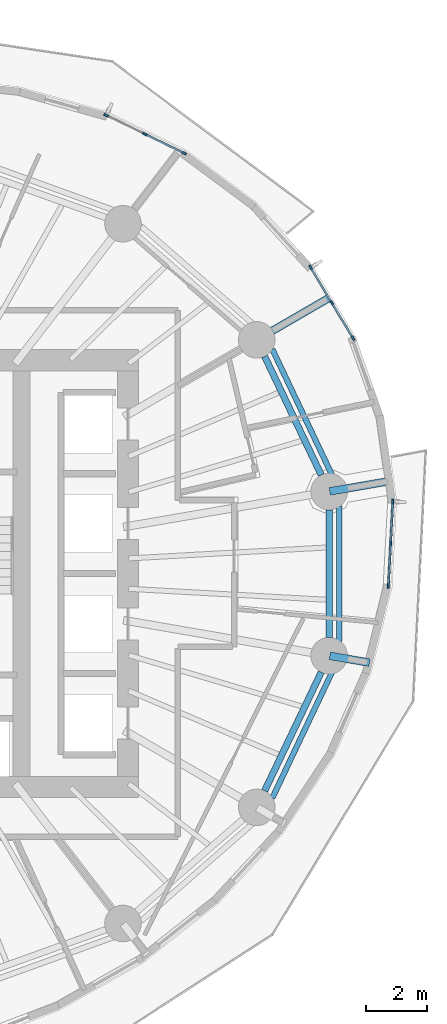
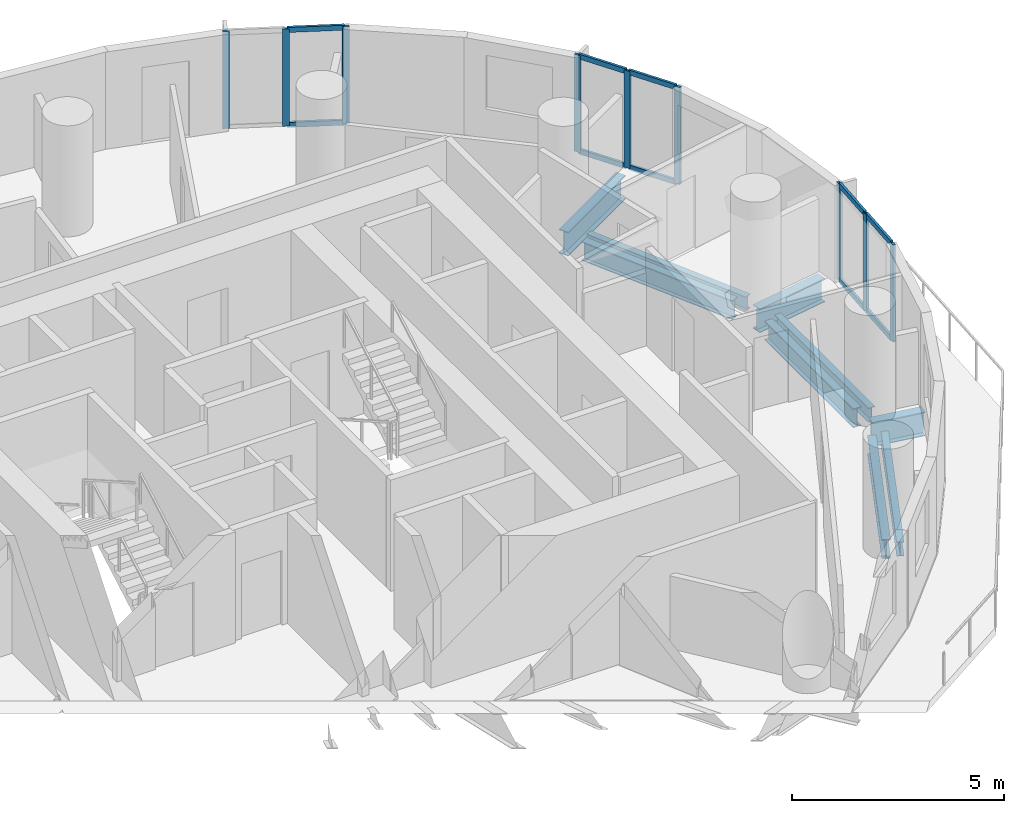
# One storey, part 5 of 15: 19 members, 9 beams, 3 elements without a shape of their own.
"""IFC4 building model written with IfcOpenShell, lengths in metres."""

from ifc_helpers import new_model, si_unit, direction, frame, origin, origin_2d, place, context, subcontext, project, spatial, rectangle, i_section, extrude, material, material_profile, profile_set, type_object, element, aggregate, save


model = new_model("IFC4")

# Units and contexts
model_context = context("Model", 3, precision=1e-05, world=origin(), true_north=direction((0.0, 1.0)))
body_context = subcontext(model_context, "Body", "Model", "MODEL_VIEW")
ifc_project = project(units=[si_unit("LENGTHUNIT", "METRE"), si_unit("AREAUNIT", "SQUARE_METRE"), si_unit("VOLUMEUNIT", "CUBIC_METRE"), si_unit("PLANEANGLEUNIT", "RADIAN"), si_unit("MASSUNIT", "GRAM", prefix="KILO")], contexts=[model_context])

# Site, building, storey
site_placement = place(None, origin())
site = spatial("IfcSite", under=ifc_project, at=site_placement, CompositionType="ELEMENT")
building_placement = place(site_placement, origin())
building = spatial("IfcBuilding", under=site, at=building_placement, Name="Veldorim Arch Residences", CompositionType="ELEMENT")
storey_placement = place(building_placement, frame((0.0, 0.0, 109.280029296875)))
storey = spatial("IfcBuildingStorey", under=building, at=storey_placement, Name="L32", CompositionType="ELEMENT", Elevation=109.280029296875)

# Beams
ifc_material_1 = material(Name="Steel S355", Category="steel")
ifc_material_profile_1 = material_profile(ifc_material_1, i_section(OverallWidth=0.2119140625, OverallDepth=0.54443359375, WebThickness=0.0126953125, FlangeThickness=0.021240234375, at=origin_2d()), Name="UB533x210x122")
ifc_profile_set_1 = profile_set([ifc_material_profile_1], Name="Steel S355")
beam_type_1 = type_object("IfcBeamType", Name="Structural Steel Beam UB533x210x122", PredefinedType="BEAM", material=ifc_profile_set_1)
for number, where, z_axis, x_axis, name in (
    (1, (47.336181640625, 27.233642578125, -0.51220703125), (-0.430720154476, 0.902485539235, 0.0), (-0.902485539235, -0.430720154476, 0.0), "L32 perimeter ring tie beam 01"),
    (2, (45.478759765625, 16.87451171875, -0.51220703125), (0.430720154476, 0.902485539235, 0.0), (-0.902485539235, 0.430720154476, 0.0), "L32 perimeter ring tie beam 15"),
):
    element("IfcBeam", number, at=place(storey_placement, frame(where, z_axis=z_axis, x_axis=x_axis)), inside=storey, type_object=beam_type_1, Name=name, PredefinedType="BEAM", context=body_context, shape_type="SweptSolid", body=[
        extrude(i_section(OverallWidth=0.2119140625, OverallDepth=0.54443359375, WebThickness=0.0126953125, FlangeThickness=0.021240234375, at=origin_2d()), origin(), (0.0, 0.0, 1.0), 4.312255859375),
    ])
beam_1_placement = place(storey_placement, frame((47.594482421875, 21.90771484375, -0.51220703125), z_axis=(0.0, 1.0, 0.0), x_axis=(-1.0, 0.0, 0.0)))
element("IfcBeam", 3, at=beam_1_placement, inside=storey, type_object=beam_type_1, Name="L32 perimeter ring tie beam 16", PredefinedType="BEAM", context=body_context, shape_type="SweptSolid", body=[
    extrude(i_section(OverallWidth=0.2119140625, OverallDepth=0.54443359375, WebThickness=0.0126953125, FlangeThickness=0.021240234375, at=origin_2d()), origin(), (0.0, 0.0, 1.0), 4.1845703125),
])
ifc_material_2 = material(Name="Steel S355", Category="steel")
ifc_material_profile_2 = material_profile(ifc_material_2, i_section(OverallWidth=0.25439453125, OverallDepth=0.6875, WebThickness=0.01318359375, FlangeThickness=0.02099609375, at=origin_2d()), Name="UB686x254x152")
ifc_profile_set_2 = profile_set([ifc_material_profile_2], Name="Steel S355")
beam_type_2 = type_object("IfcBeamType", Name="Structural Steel GIRDER UB686x254x152", PredefinedType="USERDEFINED", material=ifc_profile_set_2)
beam_2_placement = place(storey_placement, frame((47.6142578125, 26.695556640625, -0.583740234375), z_axis=(0.985416355925, 0.170160528549, 0.0), x_axis=(-0.170160528549, 0.985416355925, 0.0)))
element("IfcBeam", 4, at=beam_2_placement, inside=storey, type_object=beam_type_2, Name="L32 radial edge cantilever girder 01", ObjectType="GIRDER", PredefinedType="USERDEFINED", context=body_context, shape_type="SweptSolid", body=[
    extrude(i_section(OverallWidth=0.25439453125, OverallDepth=0.6875, WebThickness=0.01318359375, FlangeThickness=0.02099609375, at=origin_2d()), origin(), (0.0, 0.0, 1.0), 1.99853515625),
])
beam_3_placement = place(storey_placement, frame((45.23779296875, 31.677001953125, -0.583740234375), z_axis=(0.865067975698, 0.501654659523, 0.0), x_axis=(-0.501654659523, 0.865067975698, 0.0)))
element("IfcBeam", 5, at=beam_3_placement, inside=storey, type_object=beam_type_2, Name="L32 radial edge cantilever girder 02", ObjectType="GIRDER", PredefinedType="USERDEFINED", context=body_context, shape_type="SweptSolid", body=[
    extrude(i_section(OverallWidth=0.25439453125, OverallDepth=0.6875, WebThickness=0.01318359375, FlangeThickness=0.02099609375, at=origin_2d()), origin(), (0.0, 0.0, 1.0), 2.707275390625),
])
beam_4_placement = place(storey_placement, frame((47.6142578125, 21.304443359375, -0.583740234375), z_axis=(0.985414257331, -0.170172681262, 0.0), x_axis=(0.170172681262, 0.985414257331, 0.0)))
element("IfcBeam", 6, at=beam_4_placement, inside=storey, type_object=beam_type_2, Name="L32 radial edge cantilever girder 16", ObjectType="GIRDER", PredefinedType="USERDEFINED", context=body_context, shape_type="SweptSolid", body=[
    extrude(i_section(OverallWidth=0.25439453125, OverallDepth=0.6875, WebThickness=0.01318359375, FlangeThickness=0.02099609375, at=origin_2d()), origin(), (0.0, 0.0, 1.0), 1.32275390625),
])
ifc_material_3 = material(Name="Steel S355", Category="steel")
ifc_material_profile_3 = material_profile(ifc_material_3, i_section(OverallWidth=0.1787109375, OverallDepth=0.409423828125, WebThickness=0.0087890625, FlangeThickness=0.014404296875, at=origin_2d()), Name="UB406x178x67")
ifc_profile_set_3 = profile_set([ifc_material_profile_3], Name="Steel S355")
beam_type_3 = type_object("IfcBeamType", Name="Structural Steel Spandrel UB406x178x67", PredefinedType="SPANDREL", material=ifc_profile_set_3)
for number, where, z_axis, x_axis, name in (
    (7, (47.693115234375, 27.225341796875, -0.46484375), (-0.428857472204, 0.903372165021, 0.0), (-0.903372165021, -0.428857472204, 0.0), "L32 perimeter chord spandrel beam 01"),
    (8, (45.732421875, 16.64453125, -0.46484375), (0.428857472204, 0.903372165021, 0.0), (-0.903372165021, 0.428857472204, 0.0), "L32 perimeter chord spandrel beam 15"),
):
    element("IfcBeam", number, at=place(storey_placement, frame(where, z_axis=z_axis, x_axis=x_axis)), inside=storey, type_object=beam_type_3, Name=name, PredefinedType="SPANDREL", context=body_context, shape_type="SweptSolid", body=[
        extrude(i_section(OverallWidth=0.1787109375, OverallDepth=0.409423828125, WebThickness=0.0087890625, FlangeThickness=0.014404296875, at=origin_2d()), origin(), (0.0, 0.0, 1.0), 4.572021484375),
    ])
beam_5_placement = place(storey_placement, frame((47.919677734375, 21.77978515625, -0.46484375), z_axis=(0.0, 1.0, 0.0), x_axis=(-1.0, 0.0, 0.0)))
element("IfcBeam", 9, at=beam_5_placement, inside=storey, type_object=beam_type_3, Name="L32 perimeter chord spandrel beam 16", PredefinedType="SPANDREL", context=body_context, shape_type="SweptSolid", body=[
    extrude(i_section(OverallWidth=0.1787109375, OverallDepth=0.409423828125, WebThickness=0.0087890625, FlangeThickness=0.014404296875, at=origin_2d()), origin(), (0.0, 0.0, 1.0), 4.4404296875),
])

# Curtain wall, members
ifc_material_4 = material(Name="Aluminium", Category="aluminium")
curtain_wall_type = type_object("IfcCurtainWallType", Name="Zone 2 Solar-Control Unitised Curtain Wall", PredefinedType="NOTDEFINED", material=ifc_material_4)
curtain_wall_1_placement = place(storey_placement, origin())
curtain_wall_1 = element("IfcCurtainWall", 10, at=curtain_wall_1_placement, inside=storey, type_object=curtain_wall_type, Name="L32 unitised curtain wall bay 01", PredefinedType="NOTDEFINED")
ifc_material_5 = material(Name="Aluminium", Category="aluminium")
ifc_material_profile_4 = material_profile(ifc_material_5, rectangle(XDim=0.06494140625, YDim=0.1650390625, at=origin_2d()), Name="ALU_MUL_65x165")
ifc_profile_set_4 = profile_set([ifc_material_profile_4], Name="Aluminium")
member_type_1 = type_object("IfcMemberType", Name="Zone 2 Solar-Control Unitised Curtain Wall Mullion 65x165", PredefinedType="MULLION", material=ifc_profile_set_4)
member_1_placement = place(storey_placement, frame((46.989013671875, 34.039794921875, 0.0), z_axis=(0.0, 0.0, 1.0), x_axis=(0.85756971039, 0.514367759315, 0.0)))
member_1 = element("IfcMember", 11, at=member_1_placement, type_object=member_type_1, Name="CW-Z2 mullion 1", PredefinedType="MULLION", context=body_context, shape_type="SweptSolid", body=[
    extrude(rectangle(XDim=0.06494140625, YDim=0.1650390625, at=origin_2d()), origin(), (0.0, 0.0, 1.0), 2.800048828125),
])
member_2_placement = place(storey_placement, frame((47.681396484375, 32.88525390625, 0.0), z_axis=(0.0, 0.0, 1.0), x_axis=(0.85756971039, 0.514367759315, 0.0)))
member_2 = element("IfcMember", 12, at=member_2_placement, type_object=member_type_1, Name="CW-Z2 mullion 2", PredefinedType="MULLION", context=body_context, shape_type="SweptSolid", body=[
    extrude(rectangle(XDim=0.06494140625, YDim=0.1650390625, at=origin_2d()), origin(), (0.0, 0.0, 1.0), 2.800048828125),
])
member_3_placement = place(storey_placement, frame((48.3740234375, 31.730712890625, 0.0), z_axis=(0.0, 0.0, 1.0), x_axis=(0.85756971039, 0.514367759315, 0.0)))
member_3 = element("IfcMember", 13, at=member_3_placement, type_object=member_type_1, Name="CW-Z2 mullion 3", PredefinedType="MULLION", context=body_context, shape_type="SweptSolid", body=[
    extrude(rectangle(XDim=0.06494140625, YDim=0.1650390625, at=origin_2d()), origin(), (0.0, 0.0, 1.0), 2.800048828125),
])

curtain_wall_2_placement = place(storey_placement, origin())
curtain_wall_2 = element("IfcCurtainWall", 14, at=curtain_wall_2_placement, inside=storey, type_object=curtain_wall_type, Name="L32 unitised curtain wall bay 04", PredefinedType="NOTDEFINED")
member_4_placement = place(storey_placement, frame((40.28076171875, 39.030517578125, 0.0), z_axis=(0.0, 0.0, 1.0), x_axis=(0.436999671959, 0.899461664946, 0.0)))
member_4 = element("IfcMember", 15, at=member_4_placement, type_object=member_type_1, Name="CW-Z2 mullion 1", PredefinedType="MULLION", context=body_context, shape_type="SweptSolid", body=[
    extrude(rectangle(XDim=0.06494140625, YDim=0.1650390625, at=origin_2d()), origin(), (0.0, 0.0, 1.0), 2.800048828125),
])
member_5_placement = place(storey_placement, frame((41.55517578125, 38.411376953125, 0.0), z_axis=(0.0, 0.0, 1.0), x_axis=(0.436999671959, 0.899461664946, 0.0)))
member_5 = element("IfcMember", 16, at=member_5_placement, type_object=member_type_1, Name="CW-Z2 mullion 2", PredefinedType="MULLION", context=body_context, shape_type="SweptSolid", body=[
    extrude(rectangle(XDim=0.06494140625, YDim=0.1650390625, at=origin_2d()), origin(), (0.0, 0.0, 1.0), 2.800048828125),
])
member_6_placement = place(storey_placement, frame((42.829345703125, 37.792236328125, 0.0), z_axis=(0.0, 0.0, 1.0), x_axis=(0.436999671959, 0.899461664946, 0.0)))
member_6 = element("IfcMember", 17, at=member_6_placement, type_object=member_type_1, Name="CW-Z2 mullion 3", PredefinedType="MULLION", context=body_context, shape_type="SweptSolid", body=[
    extrude(rectangle(XDim=0.06494140625, YDim=0.1650390625, at=origin_2d()), origin(), (0.0, 0.0, 1.0), 2.800048828125),
])

curtain_wall_3_placement = place(storey_placement, origin())
curtain_wall_3 = element("IfcCurtainWall", 18, at=curtain_wall_3_placement, inside=storey, type_object=curtain_wall_type, Name="L32 unitised curtain wall bay 34", PredefinedType="NOTDEFINED")
member_7_placement = place(storey_placement, frame((49.68408203125, 26.364501953125, 0.0), z_axis=(0.0, 0.0, 1.0), x_axis=(0.998590099536, -0.053083077429, 0.0)))
member_7 = element("IfcMember", 19, at=member_7_placement, type_object=member_type_1, Name="CW-Z2 mullion 1", PredefinedType="MULLION", context=body_context, shape_type="SweptSolid", body=[
    extrude(rectangle(XDim=0.06494140625, YDim=0.1650390625, at=origin_2d()), origin(), (0.0, 0.0, 1.0), 2.800048828125),
])
member_8_placement = place(storey_placement, frame((49.610595703125, 24.982421875, 0.0), z_axis=(0.0, 0.0, 1.0), x_axis=(0.998590099536, -0.053083077429, 0.0)))
member_8 = element("IfcMember", 20, at=member_8_placement, type_object=member_type_1, Name="CW-Z2 mullion 2", PredefinedType="MULLION", context=body_context, shape_type="SweptSolid", body=[
    extrude(rectangle(XDim=0.06494140625, YDim=0.1650390625, at=origin_2d()), origin(), (0.0, 0.0, 1.0), 2.800048828125),
])
member_9_placement = place(storey_placement, frame((49.537109375, 23.60009765625, 0.0), z_axis=(0.0, 0.0, 1.0), x_axis=(0.998590099536, -0.053083077429, 0.0)))
member_9 = element("IfcMember", 21, at=member_9_placement, type_object=member_type_1, Name="CW-Z2 mullion 3", PredefinedType="MULLION", context=body_context, shape_type="SweptSolid", body=[
    extrude(rectangle(XDim=0.06494140625, YDim=0.1650390625, at=origin_2d()), origin(), (0.0, 0.0, 1.0), 2.800048828125),
])

# Member
ifc_material_6 = material(Name="Aluminium", Category="aluminium")
ifc_material_profile_5 = material_profile(ifc_material_6, rectangle(XDim=0.06494140625, YDim=0.14501953125, at=origin_2d()), Name="ALU_TRN_65x145")
ifc_profile_set_5 = profile_set([ifc_material_profile_5], Name="Aluminium")
member_type_2 = type_object("IfcMemberType", Name="Zone 2 Solar-Control Unitised Curtain Wall Transom 65x145", PredefinedType="USERDEFINED", material=ifc_profile_set_5)
member_10_placement = place(storey_placement, frame((47.005615234375, 34.011962890625, 0.032470703125), z_axis=(0.514411698757, -0.857543354112, 0.0), x_axis=(0.857543354112, 0.514411698757, 0.0)))
member_10 = element("IfcMember", 22, at=member_10_placement, type_object=member_type_2, Name="CW-Z2 transom 1.1", ObjectType="TRANSOM", PredefinedType="USERDEFINED", context=body_context, shape_type="SweptSolid", body=[
    extrude(rectangle(XDim=0.06494140625, YDim=0.14501953125, at=origin_2d()), origin(), (0.0, 0.0, 1.0), 1.281494140625),
])

member_11_placement = place(storey_placement, frame((47.005615234375, 34.011962890625, 2.767578125), z_axis=(0.514411698757, -0.857543354112, 0.0), x_axis=(0.857543354112, 0.514411698757, 0.0)))
member_11 = element("IfcMember", 23, at=member_11_placement, type_object=member_type_2, Name="CW-Z2 transom 1.2", ObjectType="TRANSOM", PredefinedType="USERDEFINED", context=body_context, shape_type="SweptSolid", body=[
    extrude(rectangle(XDim=0.06494140625, YDim=0.14501953125, at=origin_2d()), origin(), (0.0, 0.0, 1.0), 1.281494140625),
])

member_12_placement = place(storey_placement, frame((47.6982421875, 32.857421875, 0.032470703125), z_axis=(0.514271571349, -0.85762739631, 0.0), x_axis=(0.85762739631, 0.514271571349, 0.0)))
member_12 = element("IfcMember", 24, at=member_12_placement, type_object=member_type_2, Name="CW-Z2 transom 2.1", ObjectType="TRANSOM", PredefinedType="USERDEFINED", context=body_context, shape_type="SweptSolid", body=[
    extrude(rectangle(XDim=0.06494140625, YDim=0.14501953125, at=origin_2d()), origin(), (0.0, 0.0, 1.0), 1.28125),
])

member_13_placement = place(storey_placement, frame((47.6982421875, 32.857421875, 2.767578125), z_axis=(0.514271571349, -0.85762739631, 0.0), x_axis=(0.85762739631, 0.514271571349, 0.0)))
member_13 = element("IfcMember", 25, at=member_13_placement, type_object=member_type_2, Name="CW-Z2 transom 2.2", ObjectType="TRANSOM", PredefinedType="USERDEFINED", context=body_context, shape_type="SweptSolid", body=[
    extrude(rectangle(XDim=0.06494140625, YDim=0.14501953125, at=origin_2d()), origin(), (0.0, 0.0, 1.0), 1.28125),
])

aggregate(curtain_wall_1, [member_1, member_2, member_3, member_10, member_11, member_12, member_13])

member_14_placement = place(storey_placement, frame((41.584228515625, 38.397216796875, 0.032470703125), z_axis=(0.899427024625, -0.437070963774, 0.0), x_axis=(0.437070963774, 0.899427024625, 0.0)))
member_14 = element("IfcMember", 26, at=member_14_placement, type_object=member_type_2, Name="CW-Z2 transom 2.1", ObjectType="TRANSOM", PredefinedType="USERDEFINED", context=body_context, shape_type="SweptSolid", body=[
    extrude(rectangle(XDim=0.06494140625, YDim=0.14501953125, at=origin_2d()), origin(), (0.0, 0.0, 1.0), 1.351806640625),
])

member_15_placement = place(storey_placement, frame((41.584228515625, 38.397216796875, 2.767578125), z_axis=(0.899427024625, -0.437070963774, 0.0), x_axis=(0.437070963774, 0.899427024625, 0.0)))
member_15 = element("IfcMember", 27, at=member_15_placement, type_object=member_type_2, Name="CW-Z2 transom 2.2", ObjectType="TRANSOM", PredefinedType="USERDEFINED", context=body_context, shape_type="SweptSolid", body=[
    extrude(rectangle(XDim=0.06494140625, YDim=0.14501953125, at=origin_2d()), origin(), (0.0, 0.0, 1.0), 1.351806640625),
])

aggregate(curtain_wall_2, [member_4, member_5, member_6, member_14, member_15])

member_16_placement = place(storey_placement, frame((49.68212890625, 26.33203125, 0.032470703125), z_axis=(-0.052937715551, -0.998597816076, 0.0), x_axis=(0.998597816076, -0.052937715551, 0.0)))
member_16 = element("IfcMember", 28, at=member_16_placement, type_object=member_type_2, Name="CW-Z2 transom 1.1", ObjectType="TRANSOM", PredefinedType="USERDEFINED", context=body_context, shape_type="SweptSolid", body=[
    extrude(rectangle(XDim=0.06494140625, YDim=0.14501953125, at=origin_2d()), origin(), (0.0, 0.0, 1.0), 1.319091796875),
])

member_17_placement = place(storey_placement, frame((49.68212890625, 26.33203125, 2.767578125), z_axis=(-0.052937715551, -0.998597816076, 0.0), x_axis=(0.998597816076, -0.052937715551, 0.0)))
member_17 = element("IfcMember", 29, at=member_17_placement, type_object=member_type_2, Name="CW-Z2 transom 1.2", ObjectType="TRANSOM", PredefinedType="USERDEFINED", context=body_context, shape_type="SweptSolid", body=[
    extrude(rectangle(XDim=0.06494140625, YDim=0.14501953125, at=origin_2d()), origin(), (0.0, 0.0, 1.0), 1.319091796875),
])

member_18_placement = place(storey_placement, frame((49.60888671875, 24.949951171875, 0.032470703125), z_axis=(-0.053112474047, -0.998588536436, 0.0), x_axis=(0.998588536436, -0.053112474047, 0.0)))
member_18 = element("IfcMember", 30, at=member_18_placement, type_object=member_type_2, Name="CW-Z2 transom 2.1", ObjectType="TRANSOM", PredefinedType="USERDEFINED", context=body_context, shape_type="SweptSolid", body=[
    extrude(rectangle(XDim=0.06494140625, YDim=0.14501953125, at=origin_2d()), origin(), (0.0, 0.0, 1.0), 1.3193359375),
])

member_19_placement = place(storey_placement, frame((49.60888671875, 24.949951171875, 2.767578125), z_axis=(-0.053112474047, -0.998588536436, 0.0), x_axis=(0.998588536436, -0.053112474047, 0.0)))
member_19 = element("IfcMember", 31, at=member_19_placement, type_object=member_type_2, Name="CW-Z2 transom 2.2", ObjectType="TRANSOM", PredefinedType="USERDEFINED", context=body_context, shape_type="SweptSolid", body=[
    extrude(rectangle(XDim=0.06494140625, YDim=0.14501953125, at=origin_2d()), origin(), (0.0, 0.0, 1.0), 1.3193359375),
])

aggregate(curtain_wall_3, [member_7, member_8, member_9, member_16, member_17, member_18, member_19])

save(model, "model.ifc")
